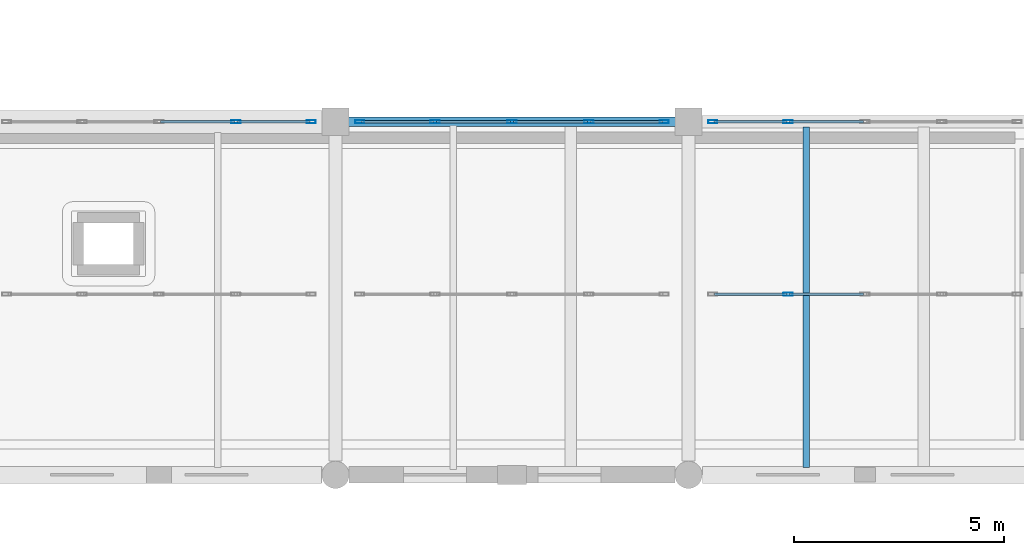
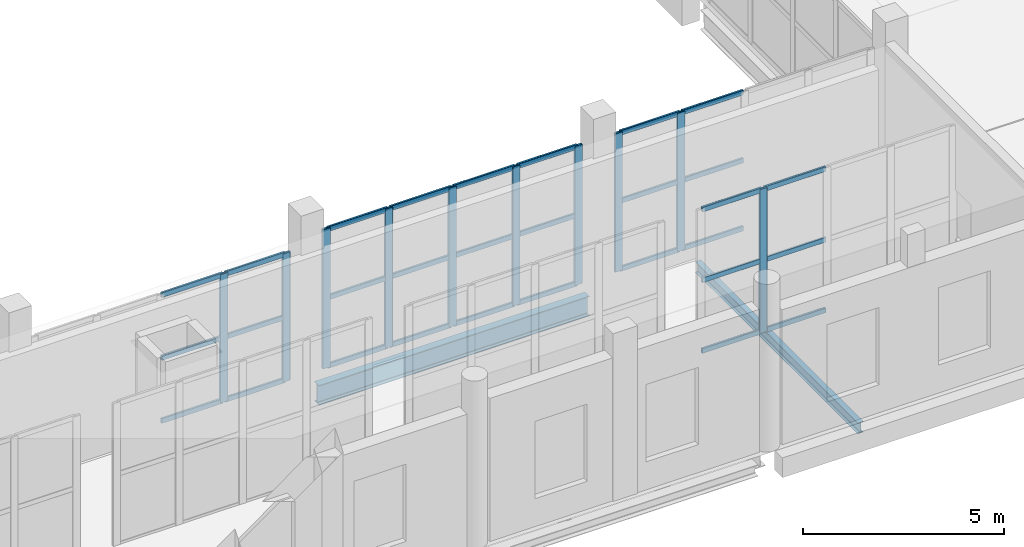
# One storey, part 20 of 73: 40 members, 2 beams, 4 elements without a shape of their own.
"""IFC4 building model written with IfcOpenShell, lengths in metres."""

from ifc_helpers import new_model, si_unit, direction, frame, origin, origin_2d, place, context, subcontext, project, spatial, hollow_rectangle, i_section, extrude, material, layer, layer_set, material_profile, profile_set, type_object, element, aggregate, save


model = new_model("IFC4")

# Units and contexts
model_context = context("Model", 3, precision=1e-05, world=origin(), true_north=direction((0.0, 1.0)))
body_context = subcontext(model_context, "Body", "Model", "MODEL_VIEW")
ifc_project = project(units=[si_unit("LENGTHUNIT", "METRE"), si_unit("AREAUNIT", "SQUARE_METRE"), si_unit("VOLUMEUNIT", "CUBIC_METRE"), si_unit("PLANEANGLEUNIT", "RADIAN"), si_unit("MASSUNIT", "GRAM", prefix="KILO")], contexts=[model_context])

# Site, building, storey
site_placement = place(None, origin())
site = spatial("IfcSite", under=ifc_project, at=site_placement, CompositionType="ELEMENT")
building_placement = place(site_placement, origin())
building = spatial("IfcBuilding", under=site, at=building_placement, Name="Zulmaris Art Gallery", CompositionType="ELEMENT")
storey_placement = place(building_placement, frame((0.0, 0.0, 10.5)))
storey = spatial("IfcBuildingStorey", under=building, at=storey_placement, Name="L02", CompositionType="ELEMENT", Elevation=10.5)

# Beams
ifc_material_1 = material(Name="Steel S355J2", Category="steel")
ifc_material_profile_1 = material_profile(ifc_material_1, i_section(OverallWidth=0.219970703125, OverallDepth=0.60009765625, WebThickness=0.011962890625, FlangeThickness=0.01904296875, FilletRadius=0.02392578125, at=origin_2d()), Name="IPE 600")
ifc_profile_set_1 = profile_set([ifc_material_profile_1], Name="Steel S355J2")
beam_type_1 = type_object("IfcBeamType", Name="BEAM-BM07", PredefinedType="BEAM", material=ifc_profile_set_1)
beam_1_placement = place(storey_placement, frame((108.31005859375, 21.60009765625, -0.699951171875), z_axis=(1.0, 0.0, 0.0), x_axis=(0.0, 1.0, 0.0)))
element("IfcBeam", 1, at=beam_1_placement, inside=storey, type_object=beam_type_1, Name="L02 X-girder (108.0..116.4, y=21.6)", PredefinedType="BEAM", context=body_context, shape_type="SweptSolid", body=[
    extrude(i_section(OverallWidth=0.219970703125, OverallDepth=0.60009765625, WebThickness=0.011962890625, FlangeThickness=0.01904296875, FilletRadius=0.02392578125, at=origin_2d()), origin(), (0.0, 0.0, 1.0), 7.780029296875),
])
ifc_material_profile_2 = material_profile(ifc_material_1, i_section(OverallWidth=0.159912109375, OverallDepth=0.330078125, WebThickness=0.007568359375, FlangeThickness=0.011474609375, FilletRadius=0.01806640625, at=origin_2d()), Name="IPE 330")
ifc_profile_set_2 = profile_set([ifc_material_profile_2], Name="Steel S355J2")
beam_type_2 = type_object("IfcBeamType", Name="BEAM-JS03", PredefinedType="JOIST", material=ifc_profile_set_2)
beam_2_placement = place(storey_placement, frame((119.199951171875, 13.375, -0.56494140625), z_axis=(0.0, 1.0, 0.0), x_axis=(-1.0, 0.0, 0.0)))
element("IfcBeam", 2, at=beam_2_placement, inside=storey, type_object=beam_type_2, Name="L02 secondary joist at x=119.2", PredefinedType="JOIST", context=body_context, shape_type="SweptSolid", body=[
    extrude(i_section(OverallWidth=0.159912109375, OverallDepth=0.330078125, WebThickness=0.007568359375, FlangeThickness=0.011474609375, FilletRadius=0.01806640625, at=origin_2d()), origin(), (0.0, 0.0, 1.0), 8.10009765625),
])

# Curtain wall, member
ifc_material_2 = material(Name="Cloister & Court Glazed Curtain Wall", Category="aluminium")
ifc_layer = layer(ifc_material_2, 0.179931640625)
ifc_layer_set = layer_set([ifc_layer], Name="Cloister & Court Glazed Curtain Wall")
curtain_wall_type = type_object("IfcCurtainWallType", Name="CW-CW03", PredefinedType="NOTDEFINED", material=ifc_layer_set)
curtain_wall_1_placement = place(storey_placement, origin())
curtain_wall_1 = element("IfcCurtainWall", 3, at=curtain_wall_1_placement, inside=storey, type_object=curtain_wall_type, Name="L02 curtain wall 65", PredefinedType="NOTDEFINED")
ifc_material_3 = material(Name="Anodised Bronze Aluminium", Category="aluminium")
ifc_material_profile_3 = material_profile(ifc_material_3, hollow_rectangle(XDim=0.074951171875, YDim=0.219970703125, WallThickness=0.0048828125, InnerFilletRadius=0.007568359375, OuterFilletRadius=0.012451171875, at=origin_2d()), Name="ALU 75x220x5")
ifc_profile_set_3 = profile_set([ifc_material_profile_3], Name="Anodised Bronze Aluminium")
member_type_1 = type_object("IfcMemberType", Name="CWMUL-02", PredefinedType="MULLION", material=ifc_profile_set_3)
member_1_placement = place(storey_placement, frame((118.77001953125, 17.5, 0.0), z_axis=(0.0, 0.0, 1.0), x_axis=(0.0, 1.0, 0.0)))
member_1 = element("IfcMember", 4, at=member_1_placement, type_object=member_type_1, Name="CW03 mullion 2", PredefinedType="MULLION", context=body_context, shape_type="SweptSolid", body=[
    extrude(hollow_rectangle(XDim=0.074951171875, YDim=0.219970703125, WallThickness=0.0048828125, InnerFilletRadius=0.007568359375, OuterFilletRadius=0.012451171875, at=origin_2d()), origin(), (0.0, 0.0, 1.0), 4.3701171875),
])

# Curtain wall, members
curtain_wall_2_placement = place(storey_placement, origin())
curtain_wall_2 = element("IfcCurtainWall", 5, at=curtain_wall_2_placement, inside=storey, type_object=curtain_wall_type, Name="L02 curtain wall 194", PredefinedType="NOTDEFINED")
member_2_placement = place(storey_placement, frame((105.6298828125, 21.60009765625, 0.0), z_axis=(0.0, 0.0, 1.0), x_axis=(0.0, 1.0, 0.0)))
member_2 = element("IfcMember", 6, at=member_2_placement, type_object=member_type_1, Name="CW03 mullion 4", PredefinedType="MULLION", context=body_context, shape_type="SweptSolid", body=[
    extrude(hollow_rectangle(XDim=0.074951171875, YDim=0.219970703125, WallThickness=0.0048828125, InnerFilletRadius=0.007568359375, OuterFilletRadius=0.012451171875, at=origin_2d()), origin(), (0.0, 0.0, 1.0), 3.89990234375),
])
member_3_placement = place(storey_placement, frame((107.422607421875, 21.60009765625, 0.0), z_axis=(0.0, 0.0, 1.0), x_axis=(0.0, 1.0, 0.0)))
member_3 = element("IfcMember", 7, at=member_3_placement, type_object=member_type_1, Name="CW03 mullion 5", PredefinedType="MULLION", context=body_context, shape_type="SweptSolid", body=[
    extrude(hollow_rectangle(XDim=0.074951171875, YDim=0.219970703125, WallThickness=0.0048828125, InnerFilletRadius=0.007568359375, OuterFilletRadius=0.012451171875, at=origin_2d()), origin(), (0.0, 0.0, 1.0), 3.89990234375),
])

curtain_wall_3_placement = place(storey_placement, origin())
curtain_wall_3 = element("IfcCurtainWall", 8, at=curtain_wall_3_placement, inside=storey, type_object=curtain_wall_type, Name="L02 curtain wall 195", PredefinedType="NOTDEFINED")
member_4_placement = place(storey_placement, frame((108.577392578125, 21.60009765625, 0.0), z_axis=(0.0, 0.0, 1.0), x_axis=(0.0, 1.0, 0.0)))
member_4 = element("IfcMember", 9, at=member_4_placement, type_object=member_type_1, Name="CW03 mullion 1", PredefinedType="MULLION", context=body_context, shape_type="SweptSolid", body=[
    extrude(hollow_rectangle(XDim=0.074951171875, YDim=0.219970703125, WallThickness=0.0048828125, InnerFilletRadius=0.007568359375, OuterFilletRadius=0.012451171875, at=origin_2d()), origin(), (0.0, 0.0, 1.0), 4.22998046875),
])
member_5_placement = place(storey_placement, frame((110.3701171875, 21.60009765625, 0.0), z_axis=(0.0, 0.0, 1.0), x_axis=(0.0, 1.0, 0.0)))
member_5 = element("IfcMember", 10, at=member_5_placement, type_object=member_type_1, Name="CW03 mullion 2", PredefinedType="MULLION", context=body_context, shape_type="SweptSolid", body=[
    extrude(hollow_rectangle(XDim=0.074951171875, YDim=0.219970703125, WallThickness=0.0048828125, InnerFilletRadius=0.007568359375, OuterFilletRadius=0.012451171875, at=origin_2d()), origin(), (0.0, 0.0, 1.0), 4.22998046875),
])
member_6_placement = place(storey_placement, frame((112.199951171875, 21.60009765625, 0.0), z_axis=(0.0, 0.0, 1.0), x_axis=(0.0, 1.0, 0.0)))
member_6 = element("IfcMember", 11, at=member_6_placement, type_object=member_type_1, Name="CW03 mullion 3", PredefinedType="MULLION", context=body_context, shape_type="SweptSolid", body=[
    extrude(hollow_rectangle(XDim=0.074951171875, YDim=0.219970703125, WallThickness=0.0048828125, InnerFilletRadius=0.007568359375, OuterFilletRadius=0.012451171875, at=origin_2d()), origin(), (0.0, 0.0, 1.0), 4.22998046875),
])
member_7_placement = place(storey_placement, frame((114.030029296875, 21.60009765625, 0.0), z_axis=(0.0, 0.0, 1.0), x_axis=(0.0, 1.0, 0.0)))
member_7 = element("IfcMember", 12, at=member_7_placement, type_object=member_type_1, Name="CW03 mullion 4", PredefinedType="MULLION", context=body_context, shape_type="SweptSolid", body=[
    extrude(hollow_rectangle(XDim=0.074951171875, YDim=0.219970703125, WallThickness=0.0048828125, InnerFilletRadius=0.007568359375, OuterFilletRadius=0.012451171875, at=origin_2d()), origin(), (0.0, 0.0, 1.0), 4.22998046875),
])
member_8_placement = place(storey_placement, frame((115.822509765625, 21.60009765625, 0.0), z_axis=(0.0, 0.0, 1.0), x_axis=(0.0, 1.0, 0.0)))
member_8 = element("IfcMember", 13, at=member_8_placement, type_object=member_type_1, Name="CW03 mullion 5", PredefinedType="MULLION", context=body_context, shape_type="SweptSolid", body=[
    extrude(hollow_rectangle(XDim=0.074951171875, YDim=0.219970703125, WallThickness=0.0048828125, InnerFilletRadius=0.007568359375, OuterFilletRadius=0.012451171875, at=origin_2d()), origin(), (0.0, 0.0, 1.0), 4.22998046875),
])

curtain_wall_4_placement = place(storey_placement, origin())
curtain_wall_4 = element("IfcCurtainWall", 14, at=curtain_wall_4_placement, inside=storey, type_object=curtain_wall_type, Name="L02 curtain wall 196", PredefinedType="NOTDEFINED")
member_9_placement = place(storey_placement, frame((116.9775390625, 21.60009765625, 0.0), z_axis=(0.0, 0.0, 1.0), x_axis=(0.0, 1.0, 0.0)))
member_9 = element("IfcMember", 15, at=member_9_placement, type_object=member_type_1, Name="CW03 mullion 1", PredefinedType="MULLION", context=body_context, shape_type="SweptSolid", body=[
    extrude(hollow_rectangle(XDim=0.074951171875, YDim=0.219970703125, WallThickness=0.0048828125, InnerFilletRadius=0.007568359375, OuterFilletRadius=0.012451171875, at=origin_2d()), origin(), (0.0, 0.0, 1.0), 4.2099609375),
])
member_10_placement = place(storey_placement, frame((118.77001953125, 21.60009765625, 0.0), z_axis=(0.0, 0.0, 1.0), x_axis=(0.0, 1.0, 0.0)))
member_10 = element("IfcMember", 16, at=member_10_placement, type_object=member_type_1, Name="CW03 mullion 2", PredefinedType="MULLION", context=body_context, shape_type="SweptSolid", body=[
    extrude(hollow_rectangle(XDim=0.074951171875, YDim=0.219970703125, WallThickness=0.0048828125, InnerFilletRadius=0.007568359375, OuterFilletRadius=0.012451171875, at=origin_2d()), origin(), (0.0, 0.0, 1.0), 4.2099609375),
])

# Member
ifc_material_profile_4 = material_profile(ifc_material_3, hollow_rectangle(XDim=0.06494140625, YDim=0.14990234375, WallThickness=0.00390625, InnerFilletRadius=0.006103515625, OuterFilletRadius=0.010009765625, at=origin_2d()), Name="ALU 65x150x4")
ifc_profile_set_4 = profile_set([ifc_material_profile_4], Name="Anodised Bronze Aluminium")
member_type_2 = type_object("IfcMemberType", Name="CWTRN-01", PredefinedType="USERDEFINED", material=ifc_profile_set_4)
member_11_placement = place(storey_placement, frame((117.014892578125, 17.5, 0.03759765625), z_axis=(1.0, 0.0, 0.0), x_axis=(0.0, 1.0, 0.0)))
member_11 = element("IfcMember", 17, at=member_11_placement, type_object=member_type_2, Name="CW03 transom 1.1", ObjectType="TRANSOM", PredefinedType="USERDEFINED", context=body_context, shape_type="SweptSolid", body=[
    extrude(hollow_rectangle(XDim=0.06494140625, YDim=0.14990234375, WallThickness=0.00390625, InnerFilletRadius=0.006103515625, OuterFilletRadius=0.010009765625, at=origin_2d()), origin(), (0.0, 0.0, 1.0), 1.717529296875),
])

member_12_placement = place(storey_placement, frame((117.014892578125, 17.5, 2.18505859375), z_axis=(1.0, 0.0, 0.0), x_axis=(0.0, 1.0, 0.0)))
member_12 = element("IfcMember", 18, at=member_12_placement, type_object=member_type_2, Name="CW03 transom 1.2", ObjectType="TRANSOM", PredefinedType="USERDEFINED", context=body_context, shape_type="SweptSolid", body=[
    extrude(hollow_rectangle(XDim=0.06494140625, YDim=0.14990234375, WallThickness=0.00390625, InnerFilletRadius=0.006103515625, OuterFilletRadius=0.010009765625, at=origin_2d()), origin(), (0.0, 0.0, 1.0), 1.717529296875),
])

member_13_placement = place(storey_placement, frame((117.014892578125, 17.5, 4.33251953125), z_axis=(1.0, 0.0, 0.0), x_axis=(0.0, 1.0, 0.0)))
member_13 = element("IfcMember", 19, at=member_13_placement, type_object=member_type_2, Name="CW03 transom 1.3", ObjectType="TRANSOM", PredefinedType="USERDEFINED", context=body_context, shape_type="SweptSolid", body=[
    extrude(hollow_rectangle(XDim=0.06494140625, YDim=0.14990234375, WallThickness=0.00390625, InnerFilletRadius=0.006103515625, OuterFilletRadius=0.010009765625, at=origin_2d()), origin(), (0.0, 0.0, 1.0), 1.717529296875),
])

member_14_placement = place(storey_placement, frame((118.8076171875, 17.5, 0.03759765625), z_axis=(1.0, 0.0, 0.0), x_axis=(0.0, 1.0, 0.0)))
member_14 = element("IfcMember", 20, at=member_14_placement, type_object=member_type_2, Name="CW03 transom 2.1", ObjectType="TRANSOM", PredefinedType="USERDEFINED", context=body_context, shape_type="SweptSolid", body=[
    extrude(hollow_rectangle(XDim=0.06494140625, YDim=0.14990234375, WallThickness=0.00390625, InnerFilletRadius=0.006103515625, OuterFilletRadius=0.010009765625, at=origin_2d()), origin(), (0.0, 0.0, 1.0), 1.7548828125),
])

member_15_placement = place(storey_placement, frame((118.8076171875, 17.5, 2.18505859375), z_axis=(1.0, 0.0, 0.0), x_axis=(0.0, 1.0, 0.0)))
member_15 = element("IfcMember", 21, at=member_15_placement, type_object=member_type_2, Name="CW03 transom 2.2", ObjectType="TRANSOM", PredefinedType="USERDEFINED", context=body_context, shape_type="SweptSolid", body=[
    extrude(hollow_rectangle(XDim=0.06494140625, YDim=0.14990234375, WallThickness=0.00390625, InnerFilletRadius=0.006103515625, OuterFilletRadius=0.010009765625, at=origin_2d()), origin(), (0.0, 0.0, 1.0), 1.7548828125),
])

member_16_placement = place(storey_placement, frame((118.8076171875, 17.5, 4.33251953125), z_axis=(1.0, 0.0, 0.0), x_axis=(0.0, 1.0, 0.0)))
member_16 = element("IfcMember", 22, at=member_16_placement, type_object=member_type_2, Name="CW03 transom 2.3", ObjectType="TRANSOM", PredefinedType="USERDEFINED", context=body_context, shape_type="SweptSolid", body=[
    extrude(hollow_rectangle(XDim=0.06494140625, YDim=0.14990234375, WallThickness=0.00390625, InnerFilletRadius=0.006103515625, OuterFilletRadius=0.010009765625, at=origin_2d()), origin(), (0.0, 0.0, 1.0), 1.7548828125),
])

aggregate(curtain_wall_1, [member_1, member_11, member_12, member_13, member_14, member_15, member_16])

member_17_placement = place(storey_placement, frame((103.83740234375, 21.60009765625, 0.03759765625), z_axis=(1.0, 0.0, 0.0), x_axis=(0.0, 1.0, 0.0)))
member_17 = element("IfcMember", 23, at=member_17_placement, type_object=member_type_2, Name="CW03 transom 3.1", ObjectType="TRANSOM", PredefinedType="USERDEFINED", context=body_context, shape_type="SweptSolid", body=[
    extrude(hollow_rectangle(XDim=0.06494140625, YDim=0.14990234375, WallThickness=0.00390625, InnerFilletRadius=0.006103515625, OuterFilletRadius=0.010009765625, at=origin_2d()), origin(), (0.0, 0.0, 1.0), 1.755126953125),
])

member_18_placement = place(storey_placement, frame((103.83740234375, 21.60009765625, 1.949951171875), z_axis=(1.0, 0.0, 0.0), x_axis=(0.0, 1.0, 0.0)))
member_18 = element("IfcMember", 24, at=member_18_placement, type_object=member_type_2, Name="CW03 transom 3.2", ObjectType="TRANSOM", PredefinedType="USERDEFINED", context=body_context, shape_type="SweptSolid", body=[
    extrude(hollow_rectangle(XDim=0.06494140625, YDim=0.14990234375, WallThickness=0.00390625, InnerFilletRadius=0.006103515625, OuterFilletRadius=0.010009765625, at=origin_2d()), origin(), (0.0, 0.0, 1.0), 1.755126953125),
])

member_19_placement = place(storey_placement, frame((103.83740234375, 21.60009765625, 3.862548828125), z_axis=(1.0, 0.0, 0.0), x_axis=(0.0, 1.0, 0.0)))
member_19 = element("IfcMember", 25, at=member_19_placement, type_object=member_type_2, Name="CW03 transom 3.3", ObjectType="TRANSOM", PredefinedType="USERDEFINED", context=body_context, shape_type="SweptSolid", body=[
    extrude(hollow_rectangle(XDim=0.06494140625, YDim=0.14990234375, WallThickness=0.00390625, InnerFilletRadius=0.006103515625, OuterFilletRadius=0.010009765625, at=origin_2d()), origin(), (0.0, 0.0, 1.0), 1.755126953125),
])

member_20_placement = place(storey_placement, frame((105.66748046875, 21.60009765625, 0.03759765625), z_axis=(1.0, 0.0, 0.0), x_axis=(0.0, 1.0, 0.0)))
member_20 = element("IfcMember", 26, at=member_20_placement, type_object=member_type_2, Name="CW03 transom 4.1", ObjectType="TRANSOM", PredefinedType="USERDEFINED", context=body_context, shape_type="SweptSolid", body=[
    extrude(hollow_rectangle(XDim=0.06494140625, YDim=0.14990234375, WallThickness=0.00390625, InnerFilletRadius=0.006103515625, OuterFilletRadius=0.010009765625, at=origin_2d()), origin(), (0.0, 0.0, 1.0), 1.717529296875),
])

member_21_placement = place(storey_placement, frame((105.66748046875, 21.60009765625, 1.949951171875), z_axis=(1.0, 0.0, 0.0), x_axis=(0.0, 1.0, 0.0)))
member_21 = element("IfcMember", 27, at=member_21_placement, type_object=member_type_2, Name="CW03 transom 4.2", ObjectType="TRANSOM", PredefinedType="USERDEFINED", context=body_context, shape_type="SweptSolid", body=[
    extrude(hollow_rectangle(XDim=0.06494140625, YDim=0.14990234375, WallThickness=0.00390625, InnerFilletRadius=0.006103515625, OuterFilletRadius=0.010009765625, at=origin_2d()), origin(), (0.0, 0.0, 1.0), 1.717529296875),
])

member_22_placement = place(storey_placement, frame((105.66748046875, 21.60009765625, 3.862548828125), z_axis=(1.0, 0.0, 0.0), x_axis=(0.0, 1.0, 0.0)))
member_22 = element("IfcMember", 28, at=member_22_placement, type_object=member_type_2, Name="CW03 transom 4.3", ObjectType="TRANSOM", PredefinedType="USERDEFINED", context=body_context, shape_type="SweptSolid", body=[
    extrude(hollow_rectangle(XDim=0.06494140625, YDim=0.14990234375, WallThickness=0.00390625, InnerFilletRadius=0.006103515625, OuterFilletRadius=0.010009765625, at=origin_2d()), origin(), (0.0, 0.0, 1.0), 1.717529296875),
])

aggregate(curtain_wall_2, [member_2, member_3, member_17, member_18, member_19, member_20, member_21, member_22])

member_23_placement = place(storey_placement, frame((108.614990234375, 21.60009765625, 0.03759765625), z_axis=(1.0, 0.0, 0.0), x_axis=(0.0, 1.0, 0.0)))
member_23 = element("IfcMember", 29, at=member_23_placement, type_object=member_type_2, Name="CW03 transom 1.1", ObjectType="TRANSOM", PredefinedType="USERDEFINED", context=body_context, shape_type="SweptSolid", body=[
    extrude(hollow_rectangle(XDim=0.06494140625, YDim=0.14990234375, WallThickness=0.00390625, InnerFilletRadius=0.006103515625, OuterFilletRadius=0.010009765625, at=origin_2d()), origin(), (0.0, 0.0, 1.0), 1.717529296875),
])

member_24_placement = place(storey_placement, frame((108.614990234375, 21.60009765625, 2.114990234375), z_axis=(1.0, 0.0, 0.0), x_axis=(0.0, 1.0, 0.0)))
member_24 = element("IfcMember", 30, at=member_24_placement, type_object=member_type_2, Name="CW03 transom 1.2", ObjectType="TRANSOM", PredefinedType="USERDEFINED", context=body_context, shape_type="SweptSolid", body=[
    extrude(hollow_rectangle(XDim=0.06494140625, YDim=0.14990234375, WallThickness=0.00390625, InnerFilletRadius=0.006103515625, OuterFilletRadius=0.010009765625, at=origin_2d()), origin(), (0.0, 0.0, 1.0), 1.717529296875),
])

member_25_placement = place(storey_placement, frame((108.614990234375, 21.60009765625, 4.1923828125), z_axis=(1.0, 0.0, 0.0), x_axis=(0.0, 1.0, 0.0)))
member_25 = element("IfcMember", 31, at=member_25_placement, type_object=member_type_2, Name="CW03 transom 1.3", ObjectType="TRANSOM", PredefinedType="USERDEFINED", context=body_context, shape_type="SweptSolid", body=[
    extrude(hollow_rectangle(XDim=0.06494140625, YDim=0.14990234375, WallThickness=0.00390625, InnerFilletRadius=0.006103515625, OuterFilletRadius=0.010009765625, at=origin_2d()), origin(), (0.0, 0.0, 1.0), 1.717529296875),
])

member_26_placement = place(storey_placement, frame((110.407470703125, 21.60009765625, 0.03759765625), z_axis=(1.0, 0.0, 0.0), x_axis=(0.0, 1.0, 0.0)))
member_26 = element("IfcMember", 32, at=member_26_placement, type_object=member_type_2, Name="CW03 transom 2.1", ObjectType="TRANSOM", PredefinedType="USERDEFINED", context=body_context, shape_type="SweptSolid", body=[
    extrude(hollow_rectangle(XDim=0.06494140625, YDim=0.14990234375, WallThickness=0.00390625, InnerFilletRadius=0.006103515625, OuterFilletRadius=0.010009765625, at=origin_2d()), origin(), (0.0, 0.0, 1.0), 1.755126953125),
])

member_27_placement = place(storey_placement, frame((110.407470703125, 21.60009765625, 2.114990234375), z_axis=(1.0, 0.0, 0.0), x_axis=(0.0, 1.0, 0.0)))
member_27 = element("IfcMember", 33, at=member_27_placement, type_object=member_type_2, Name="CW03 transom 2.2", ObjectType="TRANSOM", PredefinedType="USERDEFINED", context=body_context, shape_type="SweptSolid", body=[
    extrude(hollow_rectangle(XDim=0.06494140625, YDim=0.14990234375, WallThickness=0.00390625, InnerFilletRadius=0.006103515625, OuterFilletRadius=0.010009765625, at=origin_2d()), origin(), (0.0, 0.0, 1.0), 1.755126953125),
])

member_28_placement = place(storey_placement, frame((110.407470703125, 21.60009765625, 4.1923828125), z_axis=(1.0, 0.0, 0.0), x_axis=(0.0, 1.0, 0.0)))
member_28 = element("IfcMember", 34, at=member_28_placement, type_object=member_type_2, Name="CW03 transom 2.3", ObjectType="TRANSOM", PredefinedType="USERDEFINED", context=body_context, shape_type="SweptSolid", body=[
    extrude(hollow_rectangle(XDim=0.06494140625, YDim=0.14990234375, WallThickness=0.00390625, InnerFilletRadius=0.006103515625, OuterFilletRadius=0.010009765625, at=origin_2d()), origin(), (0.0, 0.0, 1.0), 1.755126953125),
])

member_29_placement = place(storey_placement, frame((112.237548828125, 21.60009765625, 0.03759765625), z_axis=(1.0, 0.0, 0.0), x_axis=(0.0, 1.0, 0.0)))
member_29 = element("IfcMember", 35, at=member_29_placement, type_object=member_type_2, Name="CW03 transom 3.1", ObjectType="TRANSOM", PredefinedType="USERDEFINED", context=body_context, shape_type="SweptSolid", body=[
    extrude(hollow_rectangle(XDim=0.06494140625, YDim=0.14990234375, WallThickness=0.00390625, InnerFilletRadius=0.006103515625, OuterFilletRadius=0.010009765625, at=origin_2d()), origin(), (0.0, 0.0, 1.0), 1.7548828125),
])

member_30_placement = place(storey_placement, frame((112.237548828125, 21.60009765625, 2.114990234375), z_axis=(1.0, 0.0, 0.0), x_axis=(0.0, 1.0, 0.0)))
member_30 = element("IfcMember", 36, at=member_30_placement, type_object=member_type_2, Name="CW03 transom 3.2", ObjectType="TRANSOM", PredefinedType="USERDEFINED", context=body_context, shape_type="SweptSolid", body=[
    extrude(hollow_rectangle(XDim=0.06494140625, YDim=0.14990234375, WallThickness=0.00390625, InnerFilletRadius=0.006103515625, OuterFilletRadius=0.010009765625, at=origin_2d()), origin(), (0.0, 0.0, 1.0), 1.7548828125),
])

member_31_placement = place(storey_placement, frame((112.237548828125, 21.60009765625, 4.1923828125), z_axis=(1.0, 0.0, 0.0), x_axis=(0.0, 1.0, 0.0)))
member_31 = element("IfcMember", 37, at=member_31_placement, type_object=member_type_2, Name="CW03 transom 3.3", ObjectType="TRANSOM", PredefinedType="USERDEFINED", context=body_context, shape_type="SweptSolid", body=[
    extrude(hollow_rectangle(XDim=0.06494140625, YDim=0.14990234375, WallThickness=0.00390625, InnerFilletRadius=0.006103515625, OuterFilletRadius=0.010009765625, at=origin_2d()), origin(), (0.0, 0.0, 1.0), 1.7548828125),
])

member_32_placement = place(storey_placement, frame((114.0673828125, 21.60009765625, 0.03759765625), z_axis=(1.0, 0.0, 0.0), x_axis=(0.0, 1.0, 0.0)))
member_32 = element("IfcMember", 38, at=member_32_placement, type_object=member_type_2, Name="CW03 transom 4.1", ObjectType="TRANSOM", PredefinedType="USERDEFINED", context=body_context, shape_type="SweptSolid", body=[
    extrude(hollow_rectangle(XDim=0.06494140625, YDim=0.14990234375, WallThickness=0.00390625, InnerFilletRadius=0.006103515625, OuterFilletRadius=0.010009765625, at=origin_2d()), origin(), (0.0, 0.0, 1.0), 1.717529296875),
])

member_33_placement = place(storey_placement, frame((114.0673828125, 21.60009765625, 2.114990234375), z_axis=(1.0, 0.0, 0.0), x_axis=(0.0, 1.0, 0.0)))
member_33 = element("IfcMember", 39, at=member_33_placement, type_object=member_type_2, Name="CW03 transom 4.2", ObjectType="TRANSOM", PredefinedType="USERDEFINED", context=body_context, shape_type="SweptSolid", body=[
    extrude(hollow_rectangle(XDim=0.06494140625, YDim=0.14990234375, WallThickness=0.00390625, InnerFilletRadius=0.006103515625, OuterFilletRadius=0.010009765625, at=origin_2d()), origin(), (0.0, 0.0, 1.0), 1.717529296875),
])

member_34_placement = place(storey_placement, frame((114.0673828125, 21.60009765625, 4.1923828125), z_axis=(1.0, 0.0, 0.0), x_axis=(0.0, 1.0, 0.0)))
member_34 = element("IfcMember", 40, at=member_34_placement, type_object=member_type_2, Name="CW03 transom 4.3", ObjectType="TRANSOM", PredefinedType="USERDEFINED", context=body_context, shape_type="SweptSolid", body=[
    extrude(hollow_rectangle(XDim=0.06494140625, YDim=0.14990234375, WallThickness=0.00390625, InnerFilletRadius=0.006103515625, OuterFilletRadius=0.010009765625, at=origin_2d()), origin(), (0.0, 0.0, 1.0), 1.717529296875),
])

aggregate(curtain_wall_3, [member_4, member_5, member_6, member_7, member_8, member_23, member_24, member_25, member_26, member_27, member_28, member_29, member_30, member_31, member_32, member_33, member_34])

member_35_placement = place(storey_placement, frame((117.014892578125, 21.60009765625, 0.03759765625), z_axis=(1.0, 0.0, 0.0), x_axis=(0.0, 1.0, 0.0)))
member_35 = element("IfcMember", 41, at=member_35_placement, type_object=member_type_2, Name="CW03 transom 1.1", ObjectType="TRANSOM", PredefinedType="USERDEFINED", context=body_context, shape_type="SweptSolid", body=[
    extrude(hollow_rectangle(XDim=0.06494140625, YDim=0.14990234375, WallThickness=0.00390625, InnerFilletRadius=0.006103515625, OuterFilletRadius=0.010009765625, at=origin_2d()), origin(), (0.0, 0.0, 1.0), 1.717529296875),
])

member_36_placement = place(storey_placement, frame((117.014892578125, 21.60009765625, 2.10498046875), z_axis=(1.0, 0.0, 0.0), x_axis=(0.0, 1.0, 0.0)))
member_36 = element("IfcMember", 42, at=member_36_placement, type_object=member_type_2, Name="CW03 transom 1.2", ObjectType="TRANSOM", PredefinedType="USERDEFINED", context=body_context, shape_type="SweptSolid", body=[
    extrude(hollow_rectangle(XDim=0.06494140625, YDim=0.14990234375, WallThickness=0.00390625, InnerFilletRadius=0.006103515625, OuterFilletRadius=0.010009765625, at=origin_2d()), origin(), (0.0, 0.0, 1.0), 1.717529296875),
])

member_37_placement = place(storey_placement, frame((117.014892578125, 21.60009765625, 4.172607421875), z_axis=(1.0, 0.0, 0.0), x_axis=(0.0, 1.0, 0.0)))
member_37 = element("IfcMember", 43, at=member_37_placement, type_object=member_type_2, Name="CW03 transom 1.3", ObjectType="TRANSOM", PredefinedType="USERDEFINED", context=body_context, shape_type="SweptSolid", body=[
    extrude(hollow_rectangle(XDim=0.06494140625, YDim=0.14990234375, WallThickness=0.00390625, InnerFilletRadius=0.006103515625, OuterFilletRadius=0.010009765625, at=origin_2d()), origin(), (0.0, 0.0, 1.0), 1.717529296875),
])

member_38_placement = place(storey_placement, frame((118.8076171875, 21.60009765625, 0.03759765625), z_axis=(1.0, 0.0, 0.0), x_axis=(0.0, 1.0, 0.0)))
member_38 = element("IfcMember", 44, at=member_38_placement, type_object=member_type_2, Name="CW03 transom 2.1", ObjectType="TRANSOM", PredefinedType="USERDEFINED", context=body_context, shape_type="SweptSolid", body=[
    extrude(hollow_rectangle(XDim=0.06494140625, YDim=0.14990234375, WallThickness=0.00390625, InnerFilletRadius=0.006103515625, OuterFilletRadius=0.010009765625, at=origin_2d()), origin(), (0.0, 0.0, 1.0), 1.7548828125),
])

member_39_placement = place(storey_placement, frame((118.8076171875, 21.60009765625, 2.10498046875), z_axis=(1.0, 0.0, 0.0), x_axis=(0.0, 1.0, 0.0)))
member_39 = element("IfcMember", 45, at=member_39_placement, type_object=member_type_2, Name="CW03 transom 2.2", ObjectType="TRANSOM", PredefinedType="USERDEFINED", context=body_context, shape_type="SweptSolid", body=[
    extrude(hollow_rectangle(XDim=0.06494140625, YDim=0.14990234375, WallThickness=0.00390625, InnerFilletRadius=0.006103515625, OuterFilletRadius=0.010009765625, at=origin_2d()), origin(), (0.0, 0.0, 1.0), 1.7548828125),
])

member_40_placement = place(storey_placement, frame((118.8076171875, 21.60009765625, 4.172607421875), z_axis=(1.0, 0.0, 0.0), x_axis=(0.0, 1.0, 0.0)))
member_40 = element("IfcMember", 46, at=member_40_placement, type_object=member_type_2, Name="CW03 transom 2.3", ObjectType="TRANSOM", PredefinedType="USERDEFINED", context=body_context, shape_type="SweptSolid", body=[
    extrude(hollow_rectangle(XDim=0.06494140625, YDim=0.14990234375, WallThickness=0.00390625, InnerFilletRadius=0.006103515625, OuterFilletRadius=0.010009765625, at=origin_2d()), origin(), (0.0, 0.0, 1.0), 1.7548828125),
])

aggregate(curtain_wall_4, [member_9, member_10, member_35, member_36, member_37, member_38, member_39, member_40])

save(model, "model.ifc")
